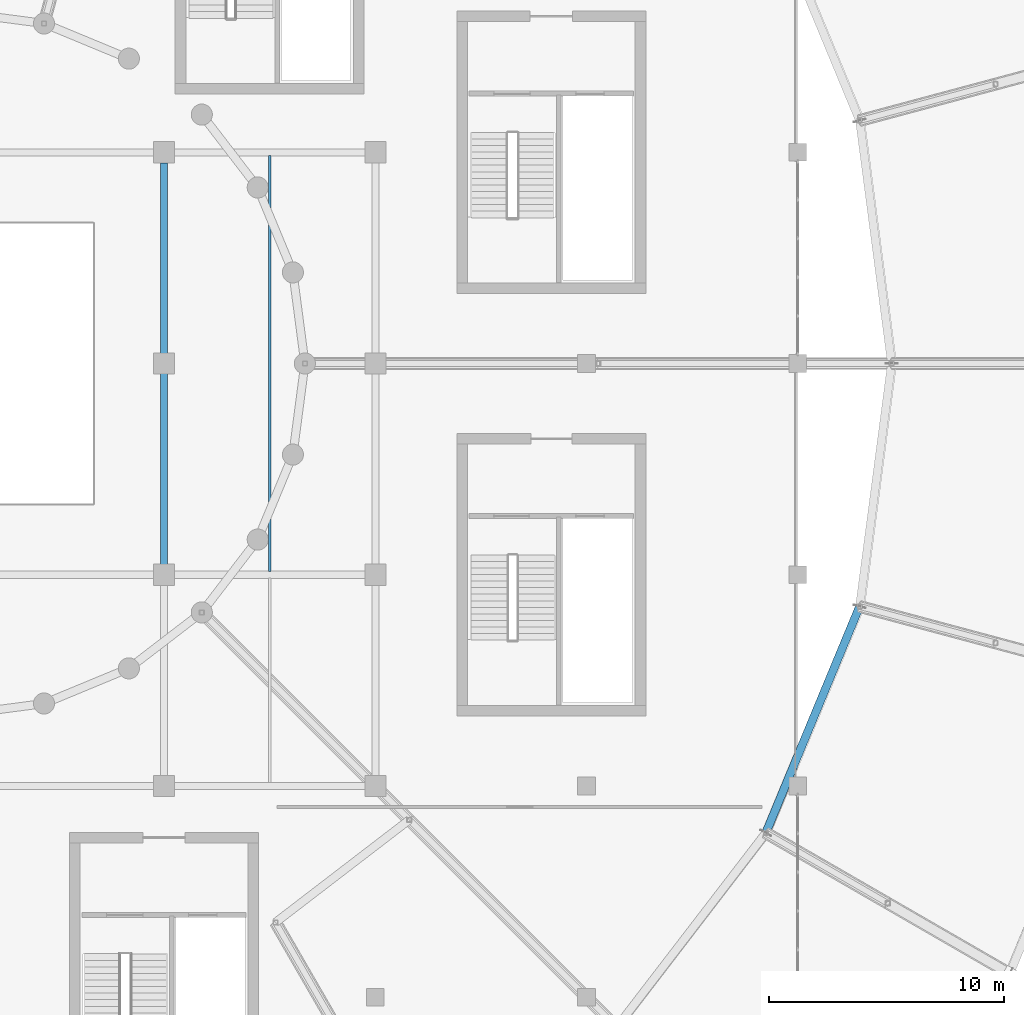
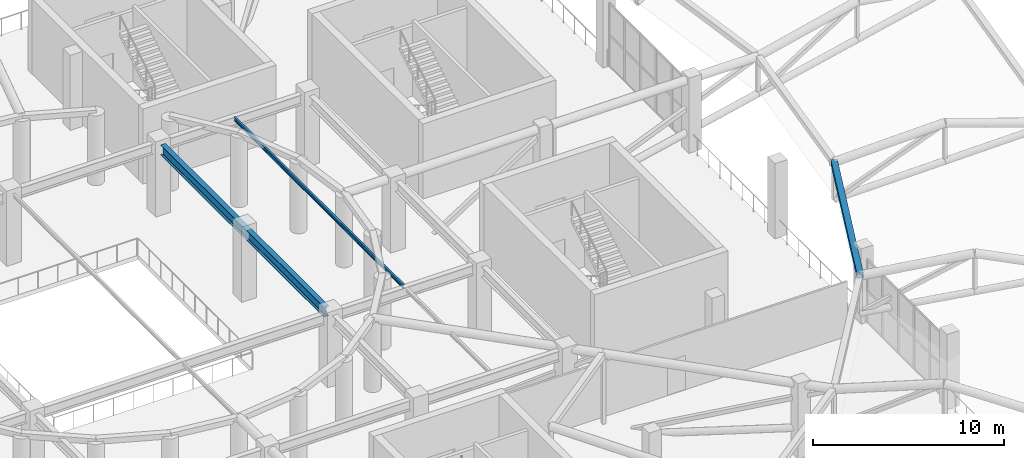
# One storey, part 69 of 167: 2 beams, 1 member.
"""IFC4 building model written with IfcOpenShell, lengths in metres."""

from ifc_helpers import new_model, si_unit, direction, frame, origin, origin_2d, place, context, subcontext, project, spatial, hollow_rectangle, i_section, extrude, material, material_profile, profile_set, type_object, element, save


model = new_model("IFC4")

# Units and contexts
model_context = context("Model", 3, precision=1e-05, world=origin(), true_north=direction((0.0, 1.0)))
body_context = subcontext(model_context, "Body", "Model", "MODEL_VIEW")
ifc_project = project(units=[si_unit("LENGTHUNIT", "METRE"), si_unit("AREAUNIT", "SQUARE_METRE"), si_unit("VOLUMEUNIT", "CUBIC_METRE"), si_unit("PLANEANGLEUNIT", "RADIAN"), si_unit("MASSUNIT", "GRAM", prefix="KILO")], contexts=[model_context])

# Site, building, storey
site_placement = place(None, origin())
site = spatial("IfcSite", under=ifc_project, at=site_placement, CompositionType="ELEMENT")
building_placement = place(site_placement, origin())
building = spatial("IfcBuilding", under=site, at=building_placement, Name="Dornveld Trade and Exhibition Forum", CompositionType="ELEMENT")
storey_placement = place(building_placement, frame((0.0, 0.0, 16.800048828125)))
storey = spatial("IfcBuildingStorey", under=building, at=storey_placement, Name="L03", CompositionType="ELEMENT", Elevation=16.800048828125)

# Beams
ifc_material_1 = material(Name="Steel S355J2", Category="steel")
ifc_material_profile_1 = material_profile(ifc_material_1, i_section(OverallWidth=0.300048828125, OverallDepth=0.64990234375, WebThickness=0.01611328125, FlangeThickness=0.031005859375, FilletRadius=0.027099609375, at=origin_2d()), Name="HEB 650")
ifc_profile_set_1 = profile_set([ifc_material_profile_1], Name="Steel S355J2")
beam_type_1 = type_object("IfcBeamType", Name="BM-GIR-HEB650", PredefinedType="USERDEFINED", material=ifc_profile_set_1)
beam_1_placement = place(storey_placement, frame((126.0, 72.446044921875, 4.18505859375), z_axis=(0.0, 1.0, 0.0), x_axis=(-1.0, 0.0, 0.0)))
element("IfcBeam", 1, at=beam_1_placement, inside=storey, type_object=beam_type_1, Name="L03 Y-girder 1665", ObjectType="GIRDER", PredefinedType="USERDEFINED", context=body_context, shape_type="SweptSolid", body=[
    extrude(i_section(OverallWidth=0.300048828125, OverallDepth=0.64990234375, WebThickness=0.01611328125, FlangeThickness=0.031005859375, FilletRadius=0.027099609375, at=origin_2d()), origin(), (0.0, 0.0, 1.0), 17.10791015625),
])
ifc_material_2 = material(Name="Steel S355J2", Category="steel")
ifc_material_profile_2 = material_profile(ifc_material_2, i_section(OverallWidth=0.1201171875, OverallDepth=0.239990234375, WebThickness=0.006103515625, FlangeThickness=0.009765625, FilletRadius=0.014892578125, at=origin_2d()), Name="IPE 240")
ifc_profile_set_2 = profile_set([ifc_material_profile_2], Name="Steel S355J2")
beam_type_2 = type_object("IfcBeamType", Name="BM-JOIST-240", PredefinedType="JOIST", material=ifc_profile_set_2)
beam_2_placement = place(storey_placement, frame((130.5, 72.14697265625, 4.389892578125), z_axis=(0.0, 1.0, 0.0), x_axis=(-1.0, 0.0, 0.0)))
element("IfcBeam", 2, at=beam_2_placement, inside=storey, type_object=beam_type_2, Name="L03 secondary joist 1673", PredefinedType="JOIST", context=body_context, shape_type="SweptSolid", body=[
    extrude(i_section(OverallWidth=0.1201171875, OverallDepth=0.239990234375, WebThickness=0.006103515625, FlangeThickness=0.009765625, FilletRadius=0.014892578125, at=origin_2d()), origin(), (0.0, 0.0, 1.0), 17.7060546875),
])

# Member
ifc_material_3 = material(Name="Steel S355J2", Category="steel")
ifc_material_profile_3 = material_profile(ifc_material_3, hollow_rectangle(XDim=0.35009765625, YDim=0.35009765625, WallThickness=0.01611328125, at=origin_2d()), Name="SHS 350x350x16")
ifc_profile_set_3 = profile_set([ifc_material_profile_3], Name="Steel S355J2")
member_type = type_object("IfcMemberType", Name="MEM-DISC-RING", PredefinedType="CHORD", material=ifc_profile_set_3)
member_placement = place(storey_placement, frame((151.64111328125, 61.0, 4.449951171875), z_axis=(0.382670482146, 0.923884896561, 0.0), x_axis=(-0.923884896561, 0.382670482146, 0.0)))
element("IfcMember", 3, at=member_placement, inside=storey, type_object=member_type, Name="Roof disc ring 3 chord 23", PredefinedType="CHORD", context=body_context, shape_type="SweptSolid", body=[
    extrude(hollow_rectangle(XDim=0.35009765625, YDim=0.35009765625, WallThickness=0.01611328125, at=origin_2d()), origin(), (0.0, 0.0, 1.0), 10.44189453125),
])

save(model, "model.ifc")
